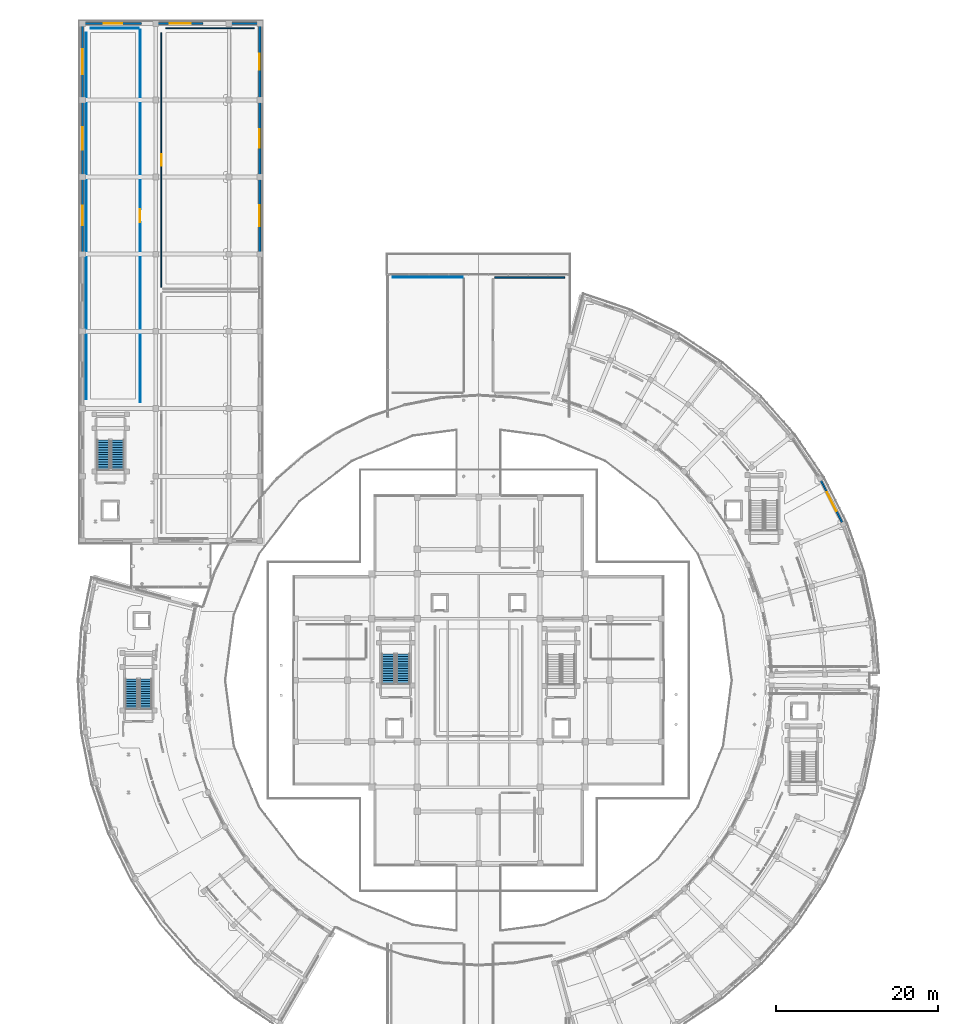
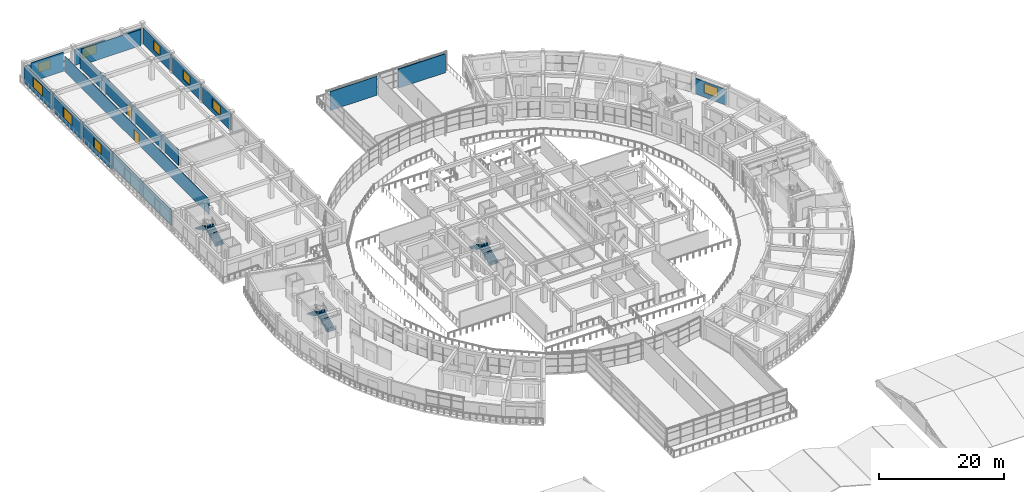
# One storey, part 62 of 83: 17 walls, 9 windows, 6 stair flights, 2 doors, 11 openings, 3 elements without a shape of their own.
"""IFC4 building model written with IfcOpenShell, lengths in metres."""

from ifc_helpers import new_model, si_unit, direction, frame, frame_2d, origin, place, context, subcontext, project, spatial, polyline, rectangle, outline, extrude, material, layer, layer_set, type_object, element, fill, aggregate, save


model = new_model("IFC4")

# Units and contexts
model_context = context("Model", 3, precision=1e-05, world=origin(), true_north=direction((0.0, 1.0)))
body_context = subcontext(model_context, "Body", "Model", "MODEL_VIEW")
ifc_project = project(units=[si_unit("LENGTHUNIT", "METRE"), si_unit("AREAUNIT", "SQUARE_METRE"), si_unit("VOLUMEUNIT", "CUBIC_METRE"), si_unit("PLANEANGLEUNIT", "RADIAN"), si_unit("MASSUNIT", "GRAM", prefix="KILO")], contexts=[model_context])

# Site, building, storey
site_placement = place(None, origin())
site = spatial("IfcSite", under=ifc_project, at=site_placement, CompositionType="ELEMENT")
building_placement = place(site_placement, origin())
building = spatial("IfcBuilding", under=site, at=building_placement, Name="Saryqyr Civic Hall", CompositionType="ELEMENT")
storey_placement = place(building_placement, frame((0.0, 0.0, 9.14990234375)))
storey = spatial("IfcBuildingStorey", under=building, at=storey_placement, Name="L02", CompositionType="ELEMENT", Elevation=9.14990234375)

# Wall, opening, window
ifc_material_1 = material(Name="Precast concrete C40/50", Category="concrete")
ifc_layer_1 = layer(ifc_material_1, 0.239990234375, Name="Precast concrete C40/50")
ifc_layer_set_1 = layer_set([ifc_layer_1], Name="Precast concrete C40/50")
wall_type_1 = type_object("IfcWallType", Name="ENV-WAL-EXT-240", PredefinedType="STANDARD", material=ifc_layer_set_1)
wall_1_placement = place(storey_placement, frame((99.30859375, 108.685791015625, 0.0), z_axis=(0.0, 0.0, 1.0), x_axis=(0.451920591159, -0.892058170349, 0.0)))
wall_1 = element("IfcWall", 1, at=wall_1_placement, inside=storey, type_object=wall_type_1, Name="Exterior wall V6-EWO-L02-03", PredefinedType="STANDARD", context=body_context, shape_type="SweptSolid", body=[
    extrude(rectangle(XDim=5.801513671875, YDim=0.239990234375, at=frame_2d((2.90087890625, 0.0))), origin(), (0.0, 0.0, 1.0), 3.01513671875),
])
opening_1_placement = place(wall_1_placement, frame((1.60107421875, 0.0, 0.85009765625)))
opening_1 = element("IfcOpeningElement", 2, at=opening_1_placement, cuts=wall_1, Name="Opening W-30", PredefinedType="OPENING", context=body_context, shape_type="SweptSolid", body=[
    extrude(rectangle(XDim=2.60009765625, YDim=1.85009765625, at=frame_2d((1.300048828125, 0.925048828125))), frame((0.0, 0.1298828125, 0.0), z_axis=(0.0, -1.0, 0.0), x_axis=(1.0, 0.0, 0.0)), (0.0, 0.0, 1.0), 0.260009765625),
])
ifc_material_2 = material(Name="Anodised aluminium and triple low-E glass", Category="aluminium")
window_type_1 = type_object("IfcWindowType", Name="ENV-WIN-W30", PartitioningType="SINGLE_PANEL", PredefinedType="WINDOW", material=ifc_material_2)
window_1_placement = place(opening_1_placement, origin())
window_1 = element("IfcWindow", 3, at=window_1_placement, inside=storey, type_object=window_type_1, Name="Exterior ribbon window V6-L02-03", OverallHeight=1.85009765625, OverallWidth=2.60009765625, PartitioningType="SINGLE_PANEL", PredefinedType="WINDOW", context=body_context, shape_type="SweptSolid", body=[
    extrude(rectangle(XDim=2.60009765625, YDim=1.85009765625, at=frame_2d((1.300048828125, 0.925048828125))), frame((0.0, 0.030029296875, 0.0), z_axis=(0.0, -1.0, 0.0), x_axis=(1.0, 0.0, 0.0)), (0.0, 0.0, 1.0), 0.06005859375),
])
fill(opening_1, window_1)

ifc_layer_2 = layer(ifc_material_1, 0.27001953125, Name="Precast concrete C40/50")
ifc_layer_set_2 = layer_set([ifc_layer_2], Name="Precast concrete C40/50")
wall_type_2 = type_object("IfcWallType", Name="ENV-WAL-EXT-270", PredefinedType="STANDARD", material=ifc_layer_set_2)
wall_2_placement = place(storey_placement, frame((29.949951171875, 164.864990234375, 0.0), z_axis=(0.0, 0.0, 1.0), x_axis=(0.0, -1.0, 0.0)))
wall_2 = element("IfcWall", 4, at=wall_2_placement, inside=storey, type_object=wall_type_2, Name="Exterior wall V3-EW-L02-1-0", PredefinedType="STANDARD", context=body_context, shape_type="SweptSolid", body=[
    extrude(rectangle(XDim=8.860107421875, YDim=0.27001953125, at=frame_2d((4.43017578125, 0.0))), origin(), (0.0, 0.0, 1.0), 3.155029296875),
])
opening_2_placement = place(wall_2_placement, frame((3.429931640625, 0.0, 0.85009765625)))
opening_2 = element("IfcOpeningElement", 5, at=opening_2_placement, cuts=wall_2, Name="Opening W-28", PredefinedType="OPENING", context=body_context, shape_type="SweptSolid", body=[
    extrude(rectangle(XDim=2.0, YDim=1.85009765625, at=frame_2d((1.0, 0.925048828125))), frame((0.0, 0.14501953125, 0.0), z_axis=(0.0, -1.0, 0.0), x_axis=(1.0, 0.0, 0.0)), (0.0, 0.0, 1.0), 0.2900390625),
])
window_type_2 = type_object("IfcWindowType", Name="ENV-WIN-W28", PartitioningType="SINGLE_PANEL", PredefinedType="WINDOW", material=ifc_material_2)
window_2_placement = place(opening_2_placement, origin())
window_2 = element("IfcWindow", 6, at=window_2_placement, inside=storey, type_object=window_type_2, Name="Library window L02-1-0", OverallHeight=1.85009765625, OverallWidth=2.0, PartitioningType="SINGLE_PANEL", PredefinedType="WINDOW", context=body_context, shape_type="SweptSolid", body=[
    extrude(rectangle(XDim=2.0, YDim=1.85009765625, at=frame_2d((1.0, 0.925048828125))), frame((0.0, 0.030029296875, 0.0), z_axis=(0.0, -1.0, 0.0), x_axis=(1.0, 0.0, 0.0)), (0.0, 0.0, 1.0), 0.06005859375),
])
fill(opening_2, window_2)

wall_3_placement = place(storey_placement, frame((29.949951171875, 155.43505859375, 0.0), z_axis=(0.0, 0.0, 1.0), x_axis=(0.0, -1.0, 0.0)))
wall_3 = element("IfcWall", 7, at=wall_3_placement, inside=storey, type_object=wall_type_2, Name="Exterior wall V3-EW-L02-1-1", PredefinedType="STANDARD", context=body_context, shape_type="SweptSolid", body=[
    extrude(rectangle(XDim=8.9599609375, YDim=0.27001953125, at=frame_2d((4.47998046875, 0.0))), origin(), (0.0, 0.0, 1.0), 3.155029296875),
])
opening_3_placement = place(wall_3_placement, frame((3.330078125, 0.0, 0.85009765625)))
opening_3 = element("IfcOpeningElement", 8, at=opening_3_placement, cuts=wall_3, Name="Opening W-29", PredefinedType="OPENING", context=body_context, shape_type="SweptSolid", body=[
    extrude(rectangle(XDim=2.300048828125, YDim=1.85009765625, at=frame_2d((1.14990234375, 0.925048828125))), frame((0.0, 0.14501953125, 0.0), z_axis=(0.0, -1.0, 0.0), x_axis=(1.0, 0.0, 0.0)), (0.0, 0.0, 1.0), 0.2900390625),
])
window_type_3 = type_object("IfcWindowType", Name="ENV-WIN-W29", PartitioningType="SINGLE_PANEL", PredefinedType="WINDOW", material=ifc_material_2)
window_3_placement = place(opening_3_placement, origin())
window_3 = element("IfcWindow", 9, at=window_3_placement, inside=storey, type_object=window_type_3, Name="Library window L02-1-1", OverallHeight=1.85009765625, OverallWidth=2.300048828125, PartitioningType="SINGLE_PANEL", PredefinedType="WINDOW", context=body_context, shape_type="SweptSolid", body=[
    extrude(rectangle(XDim=2.300048828125, YDim=1.85009765625, at=frame_2d((1.14990234375, 0.925048828125))), frame((0.0, 0.030029296875, 0.0), z_axis=(0.0, -1.0, 0.0), x_axis=(1.0, 0.0, 0.0)), (0.0, 0.0, 1.0), 0.06005859375),
])
fill(opening_3, window_3)

wall_4_placement = place(storey_placement, frame((29.949951171875, 145.905029296875, 0.0), z_axis=(0.0, 0.0, 1.0), x_axis=(0.0, -1.0, 0.0)))
wall_4 = element("IfcWall", 10, at=wall_4_placement, inside=storey, type_object=wall_type_2, Name="Exterior wall V3-EW-L02-1-2", PredefinedType="STANDARD", context=body_context, shape_type="SweptSolid", body=[
    extrude(rectangle(XDim=8.9599609375, YDim=0.27001953125, at=frame_2d((4.47998046875, 0.0))), origin(), (0.0, 0.0, 1.0), 3.155029296875),
])
opening_4_placement = place(wall_4_placement, frame((3.179931640625, 0.0, 0.85009765625)))
opening_4 = element("IfcOpeningElement", 11, at=opening_4_placement, cuts=wall_4, Name="Opening W-30", PredefinedType="OPENING", context=body_context, shape_type="SweptSolid", body=[
    extrude(rectangle(XDim=2.60009765625, YDim=1.85009765625, at=frame_2d((1.300048828125, 0.925048828125))), frame((0.0, 0.14501953125, 0.0), z_axis=(0.0, -1.0, 0.0), x_axis=(1.0, 0.0, 0.0)), (0.0, 0.0, 1.0), 0.2900390625),
])
window_4_placement = place(opening_4_placement, origin())
window_4 = element("IfcWindow", 12, at=window_4_placement, inside=storey, type_object=window_type_1, Name="Library window L02-1-2", OverallHeight=1.85009765625, OverallWidth=2.60009765625, PartitioningType="SINGLE_PANEL", PredefinedType="WINDOW", context=body_context, shape_type="SweptSolid", body=[
    extrude(rectangle(XDim=2.60009765625, YDim=1.85009765625, at=frame_2d((1.300048828125, 0.925048828125))), frame((0.0, 0.030029296875, 0.0), z_axis=(0.0, -1.0, 0.0), x_axis=(1.0, 0.0, 0.0)), (0.0, 0.0, 1.0), 0.06005859375),
])
fill(opening_4, window_4)

wall_5_placement = place(storey_placement, frame((8.3349609375, 165.14990234375, 0.0), z_axis=(0.0, 0.0, 1.0), x_axis=(1.0, 0.0, 0.0)))
wall_5 = element("IfcWall", 13, at=wall_5_placement, inside=storey, type_object=wall_type_2, Name="Exterior wall V3-EW-L02-2-0", PredefinedType="STANDARD", context=body_context, shape_type="SweptSolid", body=[
    extrude(rectangle(XDim=6.985107421875, YDim=0.27001953125, at=frame_2d((3.49267578125, 0.0))), origin(), (0.0, 0.0, 1.0), 3.01513671875),
])
opening_5_placement = place(wall_5_placement, frame((2.342041015625, 0.0, 0.85009765625)))
opening_5 = element("IfcOpeningElement", 14, at=opening_5_placement, cuts=wall_5, Name="Opening W-29", PredefinedType="OPENING", context=body_context, shape_type="SweptSolid", body=[
    extrude(rectangle(XDim=2.300048828125, YDim=1.85009765625, at=frame_2d((1.14990234375, 0.925048828125))), frame((0.0, 0.14501953125, 0.0), z_axis=(0.0, -1.0, 0.0), x_axis=(1.0, 0.0, 0.0)), (0.0, 0.0, 1.0), 0.2900390625),
])
window_5_placement = place(opening_5_placement, origin())
window_5 = element("IfcWindow", 15, at=window_5_placement, inside=storey, type_object=window_type_3, Name="Library window L02-2-0", OverallHeight=1.85009765625, OverallWidth=2.300048828125, PartitioningType="SINGLE_PANEL", PredefinedType="WINDOW", context=body_context, shape_type="SweptSolid", body=[
    extrude(rectangle(XDim=2.300048828125, YDim=1.85009765625, at=frame_2d((1.14990234375, 0.925048828125))), frame((0.0, 0.030029296875, 0.0), z_axis=(0.0, -1.0, 0.0), x_axis=(1.0, 0.0, 0.0)), (0.0, 0.0, 1.0), 0.06005859375),
])
fill(opening_5, window_5)

wall_6_placement = place(storey_placement, frame((17.385009765625, 165.14990234375, 0.0), z_axis=(0.0, 0.0, 1.0), x_axis=(1.0, 0.0, 0.0)))
wall_6 = element("IfcWall", 16, at=wall_6_placement, inside=storey, type_object=wall_type_2, Name="Exterior wall V3-EW-L02-2-1", PredefinedType="STANDARD", context=body_context, shape_type="SweptSolid", body=[
    extrude(rectangle(XDim=5.534912109375, YDim=0.27001953125, at=frame_2d((2.767578125, 0.0))), origin(), (0.0, 0.0, 1.0), 3.01513671875),
])
opening_6_placement = place(wall_6_placement, frame((1.468017578125, 0.0, 0.85009765625)))
opening_6 = element("IfcOpeningElement", 17, at=opening_6_placement, cuts=wall_6, Name="Opening W-30", PredefinedType="OPENING", context=body_context, shape_type="SweptSolid", body=[
    extrude(rectangle(XDim=2.60009765625, YDim=1.85009765625, at=frame_2d((1.300048828125, 0.925048828125))), frame((0.0, 0.14501953125, 0.0), z_axis=(0.0, -1.0, 0.0), x_axis=(1.0, 0.0, 0.0)), (0.0, 0.0, 1.0), 0.2900390625),
])
window_6_placement = place(opening_6_placement, origin())
window_6 = element("IfcWindow", 18, at=window_6_placement, inside=storey, type_object=window_type_1, Name="Library window L02-2-1", OverallHeight=1.85009765625, OverallWidth=2.60009765625, PartitioningType="SINGLE_PANEL", PredefinedType="WINDOW", context=body_context, shape_type="SweptSolid", body=[
    extrude(rectangle(XDim=2.60009765625, YDim=1.85009765625, at=frame_2d((1.300048828125, 0.925048828125))), frame((0.0, 0.030029296875, 0.0), z_axis=(0.0, -1.0, 0.0), x_axis=(1.0, 0.0, 0.0)), (0.0, 0.0, 1.0), 0.06005859375),
])
fill(opening_6, window_6)

# Wall
wall_7_placement = place(storey_placement, frame((26.43505859375, 165.14990234375, 0.0), z_axis=(0.0, 0.0, 1.0), x_axis=(1.0, 0.0, 0.0)))
element("IfcWall", 19, at=wall_7_placement, inside=storey, type_object=wall_type_2, Name="Exterior wall V3-EW-L02-2-2", PredefinedType="STANDARD", context=body_context, shape_type="SweptSolid", body=[
    extrude(rectangle(XDim=3.22998046875, YDim=0.27001953125, at=frame_2d((1.614990234375, 0.0))), origin(), (0.0, 0.0, 1.0), 3.005126953125),
])

# Wall, opening, window
wall_8_placement = place(storey_placement, frame((8.050048828125, 136.945068359375, 0.0), z_axis=(0.0, 0.0, 1.0), x_axis=(0.0, 1.0, 0.0)))
wall_8 = element("IfcWall", 20, at=wall_8_placement, inside=storey, type_object=wall_type_2, Name="Exterior wall V3-EW-L02-3-4", PredefinedType="STANDARD", context=body_context, shape_type="SweptSolid", body=[
    extrude(rectangle(XDim=8.9599609375, YDim=0.27001953125, at=frame_2d((4.47998046875, 0.0))), origin(), (0.0, 0.0, 1.0), 3.1650390625),
])
opening_7_placement = place(wall_8_placement, frame((3.280029296875, 0.0, 0.85009765625)))
opening_7 = element("IfcOpeningElement", 21, at=opening_7_placement, cuts=wall_8, Name="Opening W-34", PredefinedType="OPENING", context=body_context, shape_type="SweptSolid", body=[
    extrude(rectangle(XDim=2.39990234375, YDim=2.050048828125, at=frame_2d((1.199951171875, 1.02490234375))), frame((0.0, 0.14501953125, 0.0), z_axis=(0.0, -1.0, 0.0), x_axis=(1.0, 0.0, 0.0)), (0.0, 0.0, 1.0), 0.2900390625),
])
window_type_4 = type_object("IfcWindowType", Name="ENV-WIN-W34", PartitioningType="SINGLE_PANEL", PredefinedType="WINDOW", material=ifc_material_2)
window_7_placement = place(opening_7_placement, origin())
window_7 = element("IfcWindow", 22, at=window_7_placement, inside=storey, type_object=window_type_4, Name="Library window L02-3-4", OverallHeight=2.050048828125, OverallWidth=2.39990234375, PartitioningType="SINGLE_PANEL", PredefinedType="WINDOW", context=body_context, shape_type="SweptSolid", body=[
    extrude(rectangle(XDim=2.39990234375, YDim=2.050048828125, at=frame_2d((1.199951171875, 1.02490234375))), frame((0.0, 0.030029296875, 0.0), z_axis=(0.0, -1.0, 0.0), x_axis=(1.0, 0.0, 0.0)), (0.0, 0.0, 1.0), 0.06005859375),
])
fill(opening_7, window_7)

wall_9_placement = place(storey_placement, frame((8.050048828125, 146.47509765625, 0.0), z_axis=(0.0, 0.0, 1.0), x_axis=(0.0, 1.0, 0.0)))
wall_9 = element("IfcWall", 23, at=wall_9_placement, inside=storey, type_object=wall_type_2, Name="Exterior wall V3-EW-L02-3-5", PredefinedType="STANDARD", context=body_context, shape_type="SweptSolid", body=[
    extrude(rectangle(XDim=8.9599609375, YDim=0.27001953125, at=frame_2d((4.47998046875, 0.0))), origin(), (0.0, 0.0, 1.0), 3.1650390625),
])
opening_8_placement = place(wall_9_placement, frame((3.080078125, 0.0, 0.85009765625)))
opening_8 = element("IfcOpeningElement", 24, at=opening_8_placement, cuts=wall_9, Name="Opening W-35", PredefinedType="OPENING", context=body_context, shape_type="SweptSolid", body=[
    extrude(rectangle(XDim=2.800048828125, YDim=2.050048828125, at=frame_2d((1.39990234375, 1.02490234375))), frame((0.0, 0.14501953125, 0.0), z_axis=(0.0, -1.0, 0.0), x_axis=(1.0, 0.0, 0.0)), (0.0, 0.0, 1.0), 0.2900390625),
])
window_type_5 = type_object("IfcWindowType", Name="ENV-WIN-W35", PartitioningType="SINGLE_PANEL", PredefinedType="WINDOW", material=ifc_material_2)
window_8_placement = place(opening_8_placement, origin())
window_8 = element("IfcWindow", 25, at=window_8_placement, inside=storey, type_object=window_type_5, Name="Library window L02-3-5", OverallHeight=2.050048828125, OverallWidth=2.800048828125, PartitioningType="SINGLE_PANEL", PredefinedType="WINDOW", context=body_context, shape_type="SweptSolid", body=[
    extrude(rectangle(XDim=2.800048828125, YDim=2.050048828125, at=frame_2d((1.39990234375, 1.02490234375))), frame((0.0, 0.030029296875, 0.0), z_axis=(0.0, -1.0, 0.0), x_axis=(1.0, 0.0, 0.0)), (0.0, 0.0, 1.0), 0.06005859375),
])
fill(opening_8, window_8)

wall_10_placement = place(storey_placement, frame((8.050048828125, 156.0048828125, 0.0), z_axis=(0.0, 0.0, 1.0), x_axis=(0.0, 1.0, 0.0)))
wall_10 = element("IfcWall", 26, at=wall_10_placement, inside=storey, type_object=wall_type_2, Name="Exterior wall V3-EW-L02-3-6", PredefinedType="STANDARD", context=body_context, shape_type="SweptSolid", body=[
    extrude(rectangle(XDim=8.860107421875, YDim=0.27001953125, at=frame_2d((4.43017578125, 0.0))), origin(), (0.0, 0.0, 1.0), 3.1650390625),
])
opening_9_placement = place(wall_10_placement, frame((2.8798828125, 0.0, 0.85009765625)))
opening_9 = element("IfcOpeningElement", 27, at=opening_9_placement, cuts=wall_10, Name="Opening W-36", PredefinedType="OPENING", context=body_context, shape_type="SweptSolid", body=[
    extrude(rectangle(XDim=3.10009765625, YDim=2.050048828125, at=frame_2d((1.550048828125, 1.02490234375))), frame((0.0, 0.14501953125, 0.0), z_axis=(0.0, -1.0, 0.0), x_axis=(1.0, 0.0, 0.0)), (0.0, 0.0, 1.0), 0.2900390625),
])
window_type_6 = type_object("IfcWindowType", Name="ENV-WIN-W36", PartitioningType="SINGLE_PANEL", PredefinedType="WINDOW", material=ifc_material_2)
window_9_placement = place(opening_9_placement, origin())
window_9 = element("IfcWindow", 28, at=window_9_placement, inside=storey, type_object=window_type_6, Name="Library window L02-3-6", OverallHeight=2.050048828125, OverallWidth=3.10009765625, PartitioningType="SINGLE_PANEL", PredefinedType="WINDOW", context=body_context, shape_type="SweptSolid", body=[
    extrude(rectangle(XDim=3.10009765625, YDim=2.050048828125, at=frame_2d((1.550048828125, 1.02490234375))), frame((0.0, 0.030029296875, 0.0), z_axis=(0.0, -1.0, 0.0), x_axis=(1.0, 0.0, 0.0)), (0.0, 0.0, 1.0), 0.06005859375),
])
fill(opening_9, window_9)

# Wall
ifc_material_3 = material(Name="Lightweight demountable partition", Category="gypsum")
ifc_layer_3 = layer(ifc_material_3, 0.094970703125, Name="Lightweight demountable partition")
ifc_layer_set_3 = layer_set([ifc_layer_3], Name="Lightweight demountable partition")
wall_type_3 = type_object("IfcWallType", Name="INT-WAL-PRT-095", PredefinedType="PARTITIONING", material=ifc_layer_set_3)
wall_11_placement = place(storey_placement, frame((46.3798828125, 133.800048828125, 0.0), z_axis=(0.0, 0.0, 1.0), x_axis=(1.0, 0.0, 0.0)))
element("IfcWall", 29, at=wall_11_placement, inside=storey, type_object=wall_type_3, Name="Interior partition PRT-SP-V2-L02-NGAL-W3", PredefinedType="PARTITIONING", context=body_context, shape_type="SweptSolid", body=[
    extrude(rectangle(XDim=8.64013671875, YDim=0.094970703125, at=frame_2d((4.320068359375, 0.0))), origin(), (0.0, 0.0, 1.0), 3.690185546875),
])

# Wall, opening, door
ifc_material_4 = material(Name="Moisture-resistant gypsum partition", Category="gypsum")
ifc_layer_4 = layer(ifc_material_4, 0.110107421875, Name="Moisture-resistant gypsum partition")
ifc_layer_set_4 = layer_set([ifc_layer_4], Name="Moisture-resistant gypsum partition")
wall_type_4 = type_object("IfcWallType", Name="INT-WAL-PRT-110", PredefinedType="PARTITIONING", material=ifc_layer_set_4)
wall_12_placement = place(storey_placement, frame((15.179931640625, 164.419921875, 0.0), z_axis=(0.0, 0.0, 1.0), x_axis=(0.0, -1.0, 0.0)))
wall_12 = element("IfcWall", 30, at=wall_12_placement, inside=storey, type_object=wall_type_4, Name="Interior partition PRT-SP-V3-L02-R03-W1", PredefinedType="PARTITIONING", context=body_context, shape_type="SweptSolid", body=[
    extrude(rectangle(XDim=46.0400390625, YDim=0.110107421875, at=frame_2d((23.02001953125, 0.0))), origin(), (0.0, 0.0, 1.0), 3.01513671875),
])
opening_10_placement = place(wall_12_placement, frame((22.219970703125, 0.0, 0.0)))
opening_10 = element("IfcOpeningElement", 31, at=opening_10_placement, cuts=wall_12, Name="Opening D-14", PredefinedType="OPENING", context=body_context, shape_type="SweptSolid", body=[
    extrude(rectangle(XDim=1.60009765625, YDim=2.219970703125, at=frame_2d((0.800048828125, 1.10986328125))), frame((0.0, 0.06494140625, 0.0), z_axis=(0.0, -1.0, 0.0), x_axis=(1.0, 0.0, 0.0)), (0.0, 0.0, 1.0), 0.130126953125),
])
ifc_material_5 = material(Name="Acoustic solid-core oak veneer", Category="wood")
door_type_1 = type_object("IfcDoorType", Name="INT-DR-D-14", OperationType="NOTDEFINED", PredefinedType="DOOR", material=ifc_material_5)
door_1_placement = place(opening_10_placement, origin())
door_1 = element("IfcDoor", 32, at=door_1_placement, inside=storey, type_object=door_type_1, Name="Interior door Quiet Study Suites & Accessible MGN WC L02", OperationType="DOUBLE_DOOR_SINGLE_SWING", OverallHeight=2.219970703125, OverallWidth=1.60009765625, PredefinedType="DOOR", context=body_context, shape_type="SweptSolid", body=[
    extrude(rectangle(XDim=1.60009765625, YDim=2.219970703125, at=frame_2d((0.800048828125, 1.10986328125))), frame((0.0, 0.02490234375, 0.0), z_axis=(0.0, -1.0, 0.0), x_axis=(1.0, 0.0, 0.0)), (0.0, 0.0, 1.0), 0.050048828125),
])
fill(opening_10, door_1)

# Walls
wall_13_placement = place(storey_placement, frame((8.5, 118.75, 0.0), z_axis=(0.0, 0.0, 1.0), x_axis=(0.0, 1.0, 0.0)))
element("IfcWall", 33, at=wall_13_placement, inside=storey, type_object=wall_type_4, Name="Interior partition PRT-SP-V3-L02-R03-W2", PredefinedType="PARTITIONING", context=body_context, shape_type="SweptSolid", body=[
    extrude(rectangle(XDim=45.300048828125, YDim=0.110107421875, at=frame_2d((22.64990234375, 0.0))), origin(), (0.0, 0.0, 1.0), 3.01513671875),
])
wall_14_placement = place(storey_placement, frame((9.050048828125, 164.60009765625, 0.0), z_axis=(0.0, 0.0, 1.0), x_axis=(1.0, 0.0, 0.0)))
element("IfcWall", 34, at=wall_14_placement, inside=storey, type_object=wall_type_4, Name="Interior partition PRT-SP-V3-L02-R03-W3", PredefinedType="PARTITIONING", context=body_context, shape_type="SweptSolid", body=[
    extrude(rectangle(XDim=5.949951171875, YDim=0.110107421875, at=frame_2d((2.97509765625, 0.0))), origin(), (0.0, 0.0, 1.0), 3.7001953125),
])

# Wall, opening, door
ifc_material_6 = material(Name="Metal-stud gypsum board partition", Category="gypsum")
ifc_layer_5 = layer(ifc_material_6, 0.125, Name="Metal-stud gypsum board partition")
ifc_layer_set_5 = layer_set([ifc_layer_5], Name="Metal-stud gypsum board partition")
wall_type_5 = type_object("IfcWallType", Name="INT-WAL-PRT-125", PredefinedType="PARTITIONING", material=ifc_layer_set_5)
wall_15_placement = place(storey_placement, frame((17.800048828125, 132.580078125, 0.0), z_axis=(0.0, 0.0, 1.0), x_axis=(0.0, 1.0, 0.0)))
wall_15 = element("IfcWall", 35, at=wall_15_placement, inside=storey, type_object=wall_type_5, Name="Interior partition PRT-SP-V3-L02-R02-W1", PredefinedType="PARTITIONING", context=body_context, shape_type="SweptSolid", body=[
    extrude(rectangle(XDim=31.469970703125, YDim=0.125, at=frame_2d((15.73486328125, 0.0))), origin(), (0.0, 0.0, 1.0), 3.01513671875),
])
opening_11_placement = place(wall_15_placement, frame((15.010009765625, 0.0, 0.0)))
opening_11 = element("IfcOpeningElement", 36, at=opening_11_placement, cuts=wall_15, Name="Opening D-13", PredefinedType="OPENING", context=body_context, shape_type="SweptSolid", body=[
    extrude(rectangle(XDim=1.449951171875, YDim=2.219970703125, at=frame_2d((0.72509765625, 1.10986328125))), frame((0.0, 0.072509765625, 0.0), z_axis=(0.0, -1.0, 0.0), x_axis=(1.0, 0.0, 0.0)), (0.0, 0.0, 1.0), 0.14501953125),
])
door_type_2 = type_object("IfcDoorType", Name="INT-DR-D-13", OperationType="NOTDEFINED", PredefinedType="DOOR", material=ifc_material_5)
door_2_placement = place(opening_11_placement, origin())
door_2 = element("IfcDoor", 37, at=door_2_placement, inside=storey, type_object=door_type_2, Name="Interior door Parliamentary Papers Reading Room", OperationType="SINGLE_SWING_LEFT", OverallHeight=2.219970703125, OverallWidth=1.449951171875, PredefinedType="DOOR", context=body_context, shape_type="SweptSolid", body=[
    extrude(rectangle(XDim=1.449951171875, YDim=2.219970703125, at=frame_2d((0.72509765625, 1.10986328125))), frame((0.0, 0.02490234375, 0.0), z_axis=(0.0, -1.0, 0.0), x_axis=(1.0, 0.0, 0.0)), (0.0, 0.0, 1.0), 0.050048828125),
])
fill(opening_11, door_2)

# Walls
wall_16_placement = place(storey_placement, frame((18.35009765625, 164.60009765625, 0.0), z_axis=(0.0, 0.0, 1.0), x_axis=(1.0, 0.0, 0.0)))
element("IfcWall", 38, at=wall_16_placement, inside=storey, type_object=wall_type_5, Name="Interior partition PRT-SP-V3-L02-R02-W3", PredefinedType="PARTITIONING", context=body_context, shape_type="SweptSolid", body=[
    extrude(rectangle(XDim=10.89990234375, YDim=0.125, at=frame_2d((5.449951171875, 0.0))), origin(), (0.0, 0.0, 1.0), 3.1650390625),
])
ifc_material_7 = material(Name="Acoustic double-stud gypsum board", Category="gypsum")
ifc_layer_6 = layer(ifc_material_7, 0.169921875, Name="Acoustic double-stud gypsum board")
ifc_layer_set_6 = layer_set([ifc_layer_6], Name="Acoustic double-stud gypsum board")
wall_type_6 = type_object("IfcWallType", Name="INT-WAL-PRT-170", PredefinedType="PARTITIONING", material=ifc_layer_set_6)
wall_17_placement = place(storey_placement, frame((58.97998046875, 133.800048828125, 0.0), z_axis=(0.0, 0.0, 1.0), x_axis=(1.0, 0.0, 0.0)))
element("IfcWall", 39, at=wall_17_placement, inside=storey, type_object=wall_type_6, Name="Interior partition PRT-SP-V2-L02-NEGAL-W3", PredefinedType="PARTITIONING", context=body_context, shape_type="SweptSolid", body=[
    extrude(rectangle(XDim=8.64013671875, YDim=0.169921875, at=frame_2d((4.320068359375, 0.0))), origin(), (0.0, 0.0, 1.0), 3.690185546875),
])

# Stair, stair flights
ifc_material_8 = material(Name="Concrete C35/45", Category="concrete")
stair_type_1 = type_object("IfcStairType", Name="INT-STR-ST-1", PredefinedType="HALF_TURN_STAIR", material=ifc_material_8)
stair_1_placement = place(storey_placement, origin())
stair_1 = element("IfcStair", 40, at=stair_1_placement, inside=storey, type_object=stair_type_1, Name="L02 Protected Exit Stair ST-1", PredefinedType="HALF_TURN_STAIR")
stair_flight_type_1 = type_object("IfcStairFlightType", Name="INT-SFL-ST-1", PredefinedType="STRAIGHT", material=ifc_material_8)
stair_flight_1_placement = place(storey_placement, frame((47.675048828125, 83.64990234375, 0.0), z_axis=(0.0, 0.0, 1.0), x_axis=(0.0, 1.0, 0.0)))
stair_flight_1 = element("IfcStairFlight", 41, at=stair_flight_1_placement, type_object=stair_flight_type_1, Name="ST-1 flight 1", NumberOfRisers=13, NumberOfTreads=12, PredefinedType="STRAIGHT", RiserHeight=0.155769231, TreadLength=0.3, context=body_context, shape_type="SweptSolid", body=[
    extrude(outline(polyline([(0.0, 0.0), (0.0, 0.15576171875), (0.300048828125, 0.15576171875), (0.300048828125, 0.3115234375), (0.60009765625, 0.3115234375), (0.60009765625, 0.46728515625), (0.89990234375, 0.46728515625), (0.89990234375, 0.623046875), (1.199951171875, 0.623046875), (1.199951171875, 0.77880859375), (1.5, 0.77880859375), (1.5, 0.9345703125), (1.800048828125, 0.9345703125), (1.800048828125, 1.09033203125), (2.10009765625, 1.09033203125), (2.10009765625, 1.24609375), (2.39990234375, 1.24609375), (2.39990234375, 1.40185546875), (2.699951171875, 1.40185546875), (2.699951171875, 1.5576171875), (3.0, 1.5576171875), (3.0, 1.71337890625), (3.300048828125, 1.71337890625), (3.300048828125, 1.869140625), (3.60009765625, 1.869140625), (3.60009765625, 2.02490234375), (3.60009765625, 1.700439453125), (0.3251953125, 0.0), (0.0, 0.0)])), frame((0.0, 0.824951171875, 0.0), z_axis=(0.0, -1.0, 0.0), x_axis=(1.0, 0.0, 0.0)), (0.0, 0.0, 1.0), 1.64990234375),
])
stair_flight_2_placement = place(storey_placement, frame((45.824951171875, 87.25, 2.025146484375), z_axis=(0.0, 0.0, 1.0), x_axis=(0.0, -1.0, 0.0)))
stair_flight_2 = element("IfcStairFlight", 42, at=stair_flight_2_placement, type_object=stair_flight_type_1, Name="ST-1 flight 2", NumberOfRisers=13, NumberOfTreads=12, PredefinedType="STRAIGHT", RiserHeight=0.155769231, TreadLength=0.3, context=body_context, shape_type="SweptSolid", body=[
    extrude(outline(polyline([(0.0, 0.0), (0.0, 0.15576171875), (0.300048828125, 0.15576171875), (0.300048828125, 0.3115234375), (0.60009765625, 0.3115234375), (0.60009765625, 0.46728515625), (0.89990234375, 0.46728515625), (0.89990234375, 0.623046875), (1.199951171875, 0.623046875), (1.199951171875, 0.77880859375), (1.5, 0.77880859375), (1.5, 0.9345703125), (1.800048828125, 0.9345703125), (1.800048828125, 1.09033203125), (2.10009765625, 1.09033203125), (2.10009765625, 1.24609375), (2.39990234375, 1.24609375), (2.39990234375, 1.40185546875), (2.699951171875, 1.40185546875), (2.699951171875, 1.5576171875), (3.0, 1.5576171875), (3.0, 1.71337890625), (3.300048828125, 1.71337890625), (3.300048828125, 1.869140625), (3.60009765625, 1.869140625), (3.60009765625, 2.02490234375), (3.60009765625, 1.700439453125), (0.3251953125, 0.0), (0.0, 0.0)])), frame((0.0, 0.824951171875, 0.0), z_axis=(0.0, -1.0, 0.0), x_axis=(1.0, 0.0, 0.0)), (0.0, 0.0, 1.0), 1.64990234375),
])
aggregate(stair_1, [stair_flight_1, stair_flight_2])

stair_type_2 = type_object("IfcStairType", Name="INT-STR-ST-3", PredefinedType="HALF_TURN_STAIR", material=ifc_material_8)
stair_2_placement = place(storey_placement, origin())
stair_2 = element("IfcStair", 43, at=stair_2_placement, inside=storey, type_object=stair_type_2, Name="L02 Protected Exit Stair ST-3", PredefinedType="HALF_TURN_STAIR")
stair_flight_type_2 = type_object("IfcStairFlightType", Name="INT-SFL-ST-3", PredefinedType="STRAIGHT", material=ifc_material_8)
stair_flight_3_placement = place(storey_placement, frame((12.409912109375, 110.080078125, 0.0), z_axis=(0.0, 0.0, 1.0), x_axis=(0.0, 1.0, 0.0)))
stair_flight_3 = element("IfcStairFlight", 44, at=stair_flight_3_placement, type_object=stair_flight_type_2, Name="ST-3 flight 1", NumberOfRisers=13, NumberOfTreads=12, PredefinedType="STRAIGHT", RiserHeight=0.155769231, TreadLength=0.3, context=body_context, shape_type="SweptSolid", body=[
    extrude(outline(polyline([(0.0, 0.0), (0.0, 0.15576171875), (0.300048828125, 0.15576171875), (0.300048828125, 0.3115234375), (0.60009765625, 0.3115234375), (0.60009765625, 0.46728515625), (0.89990234375, 0.46728515625), (0.89990234375, 0.623046875), (1.199951171875, 0.623046875), (1.199951171875, 0.77880859375), (1.5, 0.77880859375), (1.5, 0.9345703125), (1.800048828125, 0.9345703125), (1.800048828125, 1.09033203125), (2.10009765625, 1.09033203125), (2.10009765625, 1.24609375), (2.39990234375, 1.24609375), (2.39990234375, 1.40185546875), (2.699951171875, 1.40185546875), (2.699951171875, 1.5576171875), (3.0, 1.5576171875), (3.0, 1.71337890625), (3.300048828125, 1.71337890625), (3.300048828125, 1.869140625), (3.60009765625, 1.869140625), (3.60009765625, 2.02490234375), (3.60009765625, 1.700439453125), (0.3251953125, 0.0), (0.0, 0.0)])), frame((0.0, 0.7900390625, 0.0), z_axis=(0.0, -1.0, 0.0), x_axis=(1.0, 0.0, 0.0)), (0.0, 0.0, 1.0), 1.580078125),
])
stair_flight_4_placement = place(storey_placement, frame((10.6298828125, 113.679931640625, 2.025146484375), z_axis=(0.0, 0.0, 1.0), x_axis=(0.0, -1.0, 0.0)))
stair_flight_4 = element("IfcStairFlight", 45, at=stair_flight_4_placement, type_object=stair_flight_type_2, Name="ST-3 flight 2", NumberOfRisers=13, NumberOfTreads=12, PredefinedType="STRAIGHT", RiserHeight=0.155769231, TreadLength=0.3, context=body_context, shape_type="SweptSolid", body=[
    extrude(outline(polyline([(0.0, 0.0), (0.0, 0.15576171875), (0.300048828125, 0.15576171875), (0.300048828125, 0.3115234375), (0.60009765625, 0.3115234375), (0.60009765625, 0.46728515625), (0.89990234375, 0.46728515625), (0.89990234375, 0.623046875), (1.199951171875, 0.623046875), (1.199951171875, 0.77880859375), (1.5, 0.77880859375), (1.5, 0.9345703125), (1.800048828125, 0.9345703125), (1.800048828125, 1.09033203125), (2.10009765625, 1.09033203125), (2.10009765625, 1.24609375), (2.39990234375, 1.24609375), (2.39990234375, 1.40185546875), (2.699951171875, 1.40185546875), (2.699951171875, 1.5576171875), (3.0, 1.5576171875), (3.0, 1.71337890625), (3.300048828125, 1.71337890625), (3.300048828125, 1.869140625), (3.60009765625, 1.869140625), (3.60009765625, 2.02490234375), (3.60009765625, 1.700439453125), (0.3251953125, 0.0), (0.0, 0.0)])), frame((0.0, 0.7900390625, 0.0), z_axis=(0.0, -1.0, 0.0), x_axis=(1.0, 0.0, 0.0)), (0.0, 0.0, 1.0), 1.580078125),
])
aggregate(stair_2, [stair_flight_3, stair_flight_4])

stair_type_3 = type_object("IfcStairType", Name="INT-STR-ST-4", PredefinedType="HALF_TURN_STAIR", material=ifc_material_8)
stair_3_placement = place(storey_placement, origin())
stair_3 = element("IfcStair", 46, at=stair_3_placement, inside=storey, type_object=stair_type_3, Name="L02 Protected Exit Stair ST-4", PredefinedType="HALF_TURN_STAIR")
stair_flight_type_3 = type_object("IfcStairFlightType", Name="INT-SFL-ST-4", PredefinedType="STRAIGHT", material=ifc_material_8)
stair_flight_5_placement = place(storey_placement, frame((15.875, 80.550048828125, 0.0), z_axis=(0.0, 0.0, 1.0), x_axis=(0.0, 1.0, 0.0)))
stair_flight_5 = element("IfcStairFlight", 47, at=stair_flight_5_placement, type_object=stair_flight_type_3, Name="ST-4 flight 1", NumberOfRisers=13, NumberOfTreads=12, PredefinedType="STRAIGHT", RiserHeight=0.155769231, TreadLength=0.3, context=body_context, shape_type="SweptSolid", body=[
    extrude(outline(polyline([(0.0, 0.0), (0.0, 0.15576171875), (0.300048828125, 0.15576171875), (0.300048828125, 0.3115234375), (0.60009765625, 0.3115234375), (0.60009765625, 0.46728515625), (0.89990234375, 0.46728515625), (0.89990234375, 0.623046875), (1.199951171875, 0.623046875), (1.199951171875, 0.77880859375), (1.5, 0.77880859375), (1.5, 0.9345703125), (1.800048828125, 0.9345703125), (1.800048828125, 1.09033203125), (2.10009765625, 1.09033203125), (2.10009765625, 1.24609375), (2.39990234375, 1.24609375), (2.39990234375, 1.40185546875), (2.699951171875, 1.40185546875), (2.699951171875, 1.5576171875), (3.0, 1.5576171875), (3.0, 1.71337890625), (3.300048828125, 1.71337890625), (3.300048828125, 1.869140625), (3.60009765625, 1.869140625), (3.60009765625, 2.02490234375), (3.60009765625, 1.700439453125), (0.3251953125, 0.0), (0.0, 0.0)])), frame((0.0, 0.77490234375, 0.0), z_axis=(0.0, -1.0, 0.0), x_axis=(1.0, 0.0, 0.0)), (0.0, 0.0, 1.0), 1.550048828125),
])
stair_flight_6_placement = place(storey_placement, frame((14.125, 84.14990234375, 2.025146484375), z_axis=(0.0, 0.0, 1.0), x_axis=(0.0, -1.0, 0.0)))
stair_flight_6 = element("IfcStairFlight", 48, at=stair_flight_6_placement, type_object=stair_flight_type_3, Name="ST-4 flight 2", NumberOfRisers=13, NumberOfTreads=12, PredefinedType="STRAIGHT", RiserHeight=0.155769231, TreadLength=0.3, context=body_context, shape_type="SweptSolid", body=[
    extrude(outline(polyline([(0.0, 0.0), (0.0, 0.15576171875), (0.300048828125, 0.15576171875), (0.300048828125, 0.3115234375), (0.60009765625, 0.3115234375), (0.60009765625, 0.46728515625), (0.89990234375, 0.46728515625), (0.89990234375, 0.623046875), (1.199951171875, 0.623046875), (1.199951171875, 0.77880859375), (1.5, 0.77880859375), (1.5, 0.9345703125), (1.800048828125, 0.9345703125), (1.800048828125, 1.09033203125), (2.10009765625, 1.09033203125), (2.10009765625, 1.24609375), (2.39990234375, 1.24609375), (2.39990234375, 1.40185546875), (2.699951171875, 1.40185546875), (2.699951171875, 1.5576171875), (3.0, 1.5576171875), (3.0, 1.71337890625), (3.300048828125, 1.71337890625), (3.300048828125, 1.869140625), (3.60009765625, 1.869140625), (3.60009765625, 2.02490234375), (3.60009765625, 1.700439453125), (0.3251953125, 0.0), (0.0, 0.0)])), frame((0.0, 0.77490234375, 0.0), z_axis=(0.0, -1.0, 0.0), x_axis=(1.0, 0.0, 0.0)), (0.0, 0.0, 1.0), 1.550048828125),
])
aggregate(stair_3, [stair_flight_5, stair_flight_6])

save(model, "model.ifc")
